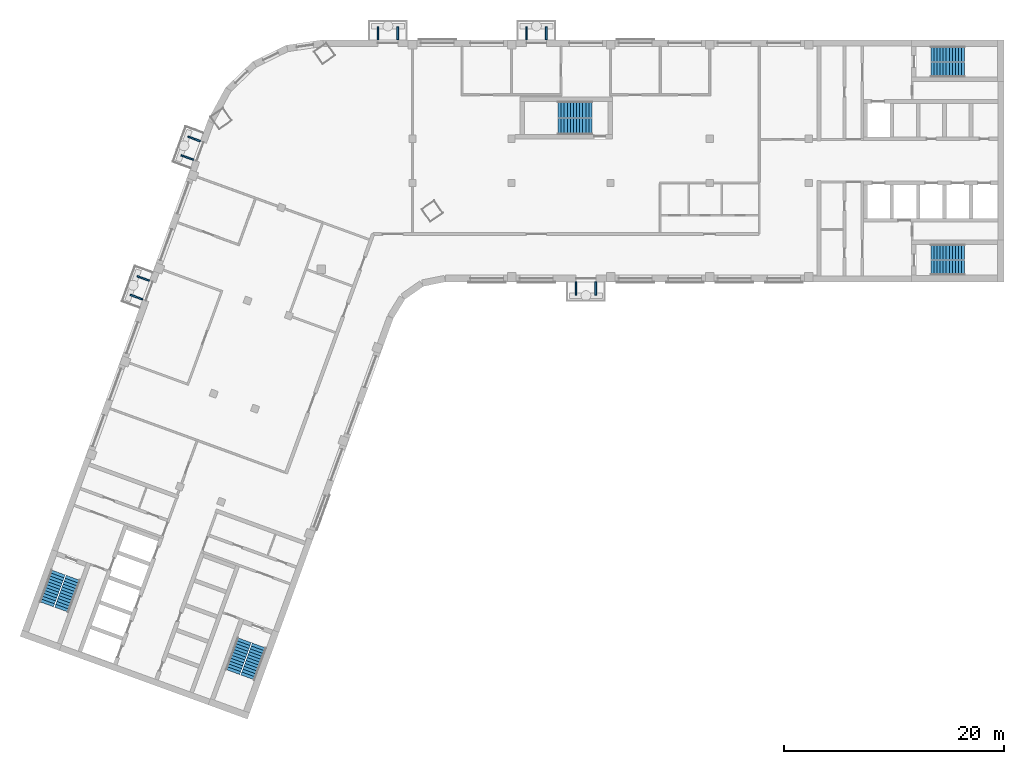
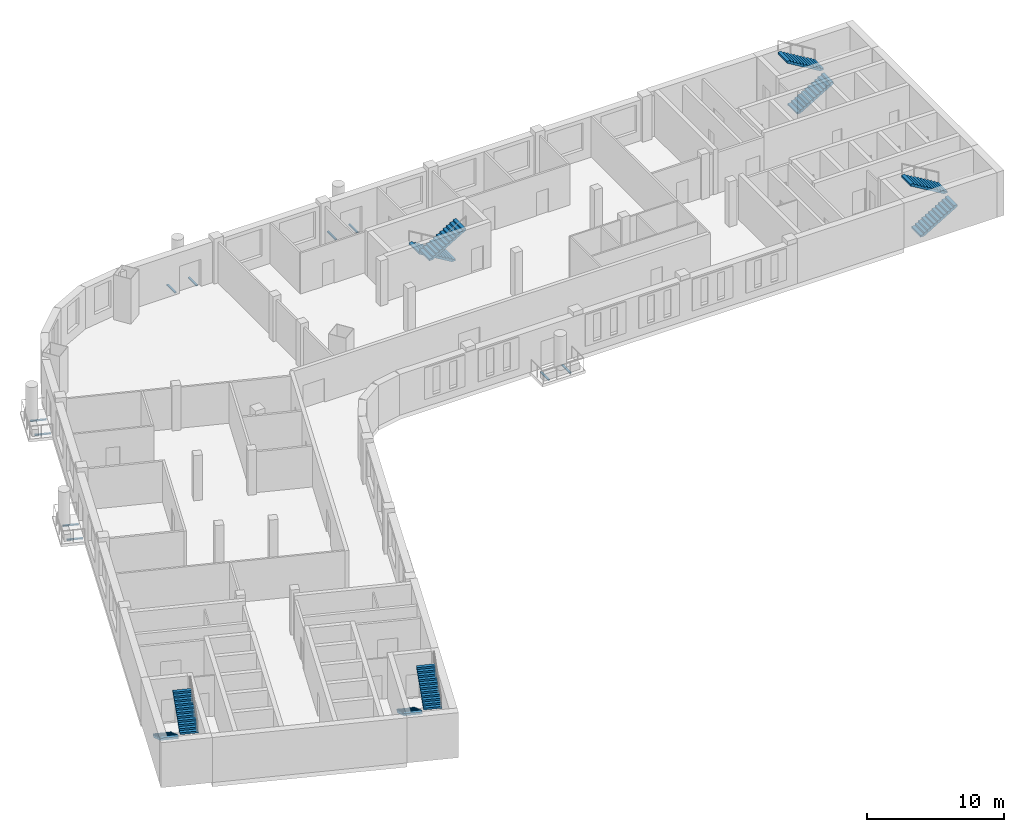
# One storey, part 7 of 10: 10 discrete accessories, 10 stair flights, 5 elements without a shape of their own.
"""IFC4 building model written with IfcOpenShell, lengths in metres."""

from ifc_helpers import new_model, si_unit, direction, frame, origin, origin_2d, place, context, subcontext, project, spatial, polyline, rectangle, outline, extrude, material, type_object, element, aggregate, save


model = new_model("IFC4")

# Units and contexts
model_context = context("Model", 3, precision=1e-05, world=origin(), true_north=direction((0.0, 1.0)))
body_context = subcontext(model_context, "Body", "Model", "MODEL_VIEW")
ifc_project = project(units=[si_unit("LENGTHUNIT", "METRE"), si_unit("AREAUNIT", "SQUARE_METRE"), si_unit("VOLUMEUNIT", "CUBIC_METRE"), si_unit("PLANEANGLEUNIT", "RADIAN"), si_unit("MASSUNIT", "GRAM", prefix="KILO")], contexts=[model_context])

# Site, building, storey
site_placement = place(None, origin())
site = spatial("IfcSite", under=ifc_project, at=site_placement, CompositionType="ELEMENT")
building_placement = place(site_placement, origin())
building = spatial("IfcBuilding", under=site, at=building_placement, Name="Skarvind Civic Tower", CompositionType="ELEMENT")
storey_placement = place(building_placement, frame((0.0, 0.0, 166.5)))
storey = spatial("IfcBuildingStorey", under=building, at=storey_placement, Name="L39", CompositionType="ELEMENT", Elevation=166.5)

# Stair, stair flights
ifc_material = material(Name="Concrete C40/50", Category="concrete")
stair_type_1 = type_object("IfcStairType", Name="Exit stair 1450, half-turn, concrete", PredefinedType="HALF_TURN_STAIR", material=ifc_material)
stair_1_placement = place(storey_placement, origin())
stair_1 = element("IfcStair", 1, at=stair_1_placement, inside=storey, type_object=stair_type_1, Name="Exit stair CM", PredefinedType="HALF_TURN_STAIR")
stair_flight_type_1 = type_object("IfcStairFlightType", Name="Stair flight 1450, concrete", PredefinedType="STRAIGHT", material=ifc_material)
stair_flight_1_placement = place(storey_placement, frame((70.550048828125, 132.675048828125, 0.0), z_axis=(0.0, 0.0, 1.0), x_axis=(-1.0, 0.0, 0.0)))
stair_flight_1 = element("IfcStairFlight", 2, at=stair_flight_1_placement, type_object=stair_flight_type_1, Name="ST-CM flight 1", NumberOfRisers=12, NumberOfTreads=11, PredefinedType="STRAIGHT", RiserHeight=0.166666667, TreadLength=0.28, context=body_context, shape_type="SweptSolid", body=[
    extrude(outline(polyline([(0.0, 0.0), (0.0, 0.166748046875), (0.280029296875, 0.166748046875), (0.280029296875, 0.333251953125), (0.56005859375, 0.333251953125), (0.56005859375, 0.5), (0.840087890625, 0.5), (0.840087890625, 0.666748046875), (1.1201171875, 0.666748046875), (1.1201171875, 0.833251953125), (1.39990234375, 0.833251953125), (1.39990234375, 1.0), (1.679931640625, 1.0), (1.679931640625, 1.166748046875), (1.9599609375, 1.166748046875), (1.9599609375, 1.333251953125), (2.239990234375, 1.333251953125), (2.239990234375, 1.5), (2.52001953125, 1.5), (2.52001953125, 1.666748046875), (2.800048828125, 1.666748046875), (2.800048828125, 1.833251953125), (3.080078125, 1.833251953125), (3.080078125, 2.0), (3.080078125, 1.658935546875), (0.29296875, 0.0), (0.0, 0.0)])), frame((0.0, 0.72509765625, 0.0), z_axis=(0.0, -1.0, 0.0), x_axis=(1.0, 0.0, 0.0)), (0.0, 0.0, 1.0), 1.449951171875),
])
stair_flight_2_placement = place(storey_placement, frame((67.469970703125, 131.125, 2.0), z_axis=(0.0, 0.0, 1.0), x_axis=(1.0, 0.0, 0.0)))
stair_flight_2 = element("IfcStairFlight", 3, at=stair_flight_2_placement, type_object=stair_flight_type_1, Name="ST-CM flight 2", NumberOfRisers=12, NumberOfTreads=11, PredefinedType="STRAIGHT", RiserHeight=0.166666667, TreadLength=0.28, context=body_context, shape_type="SweptSolid", body=[
    extrude(outline(polyline([(0.0, 0.0), (0.0, 0.166748046875), (0.280029296875, 0.166748046875), (0.280029296875, 0.333251953125), (0.56005859375, 0.333251953125), (0.56005859375, 0.5), (0.840087890625, 0.5), (0.840087890625, 0.666748046875), (1.1201171875, 0.666748046875), (1.1201171875, 0.833251953125), (1.39990234375, 0.833251953125), (1.39990234375, 1.0), (1.679931640625, 1.0), (1.679931640625, 1.166748046875), (1.9599609375, 1.166748046875), (1.9599609375, 1.333251953125), (2.239990234375, 1.333251953125), (2.239990234375, 1.5), (2.52001953125, 1.5), (2.52001953125, 1.666748046875), (2.800048828125, 1.666748046875), (2.800048828125, 1.833251953125), (3.080078125, 1.833251953125), (3.080078125, 2.0), (3.080078125, 1.658935546875), (0.29296875, 0.0), (0.0, 0.0)])), frame((0.0, 0.72509765625, 0.0), z_axis=(0.0, -1.0, 0.0), x_axis=(1.0, 0.0, 0.0)), (0.0, 0.0, 1.0), 1.449951171875),
])
aggregate(stair_1, [stair_flight_1, stair_flight_2])

stair_type_2 = type_object("IfcStairType", Name="Exit stair, half-turn, concrete", PredefinedType="HALF_TURN_STAIR", material=ifc_material)
stair_2_placement = place(storey_placement, origin())
stair_2 = element("IfcStair", 4, at=stair_2_placement, inside=storey, type_object=stair_type_2, Name="Exit stair C1S", PredefinedType="HALF_TURN_STAIR")
stair_flight_type_2 = type_object("IfcStairFlightType", Name="Stair flight, concrete", PredefinedType="STRAIGHT", material=ifc_material)
stair_flight_3_placement = place(storey_placement, frame((101.35009765625, 136.27490234375, 0.0), z_axis=(0.0, 0.0, 1.0), x_axis=(1.0, 0.0, 0.0)))
stair_flight_3 = element("IfcStairFlight", 5, at=stair_flight_3_placement, type_object=stair_flight_type_2, Name="ST-C1S flight 1", NumberOfRisers=12, NumberOfTreads=11, PredefinedType="STRAIGHT", RiserHeight=0.166666667, TreadLength=0.28, context=body_context, shape_type="SweptSolid", body=[
    extrude(outline(polyline([(0.0, 0.0), (0.0, 0.166748046875), (0.280029296875, 0.166748046875), (0.280029296875, 0.333251953125), (0.56005859375, 0.333251953125), (0.56005859375, 0.5), (0.840087890625, 0.5), (0.840087890625, 0.666748046875), (1.1201171875, 0.666748046875), (1.1201171875, 0.833251953125), (1.39990234375, 0.833251953125), (1.39990234375, 1.0), (1.679931640625, 1.0), (1.679931640625, 1.166748046875), (1.9599609375, 1.166748046875), (1.9599609375, 1.333251953125), (2.239990234375, 1.333251953125), (2.239990234375, 1.5), (2.52001953125, 1.5), (2.52001953125, 1.666748046875), (2.800048828125, 1.666748046875), (2.800048828125, 1.833251953125), (3.080078125, 1.833251953125), (3.080078125, 2.0), (3.080078125, 1.658935546875), (0.29296875, 0.0), (0.0, 0.0)])), frame((0.0, 0.675048828125, 0.0), z_axis=(0.0, -1.0, 0.0), x_axis=(1.0, 0.0, 0.0)), (0.0, 0.0, 1.0), 1.35009765625),
])
stair_flight_4_placement = place(storey_placement, frame((104.429931640625, 137.72509765625, 2.0), z_axis=(0.0, 0.0, 1.0), x_axis=(-1.0, 0.0, 0.0)))
stair_flight_4 = element("IfcStairFlight", 6, at=stair_flight_4_placement, type_object=stair_flight_type_2, Name="ST-C1S flight 2", NumberOfRisers=12, NumberOfTreads=11, PredefinedType="STRAIGHT", RiserHeight=0.166666667, TreadLength=0.28, context=body_context, shape_type="SweptSolid", body=[
    extrude(outline(polyline([(0.0, 0.0), (0.0, 0.166748046875), (0.280029296875, 0.166748046875), (0.280029296875, 0.333251953125), (0.56005859375, 0.333251953125), (0.56005859375, 0.5), (0.840087890625, 0.5), (0.840087890625, 0.666748046875), (1.1201171875, 0.666748046875), (1.1201171875, 0.833251953125), (1.39990234375, 0.833251953125), (1.39990234375, 1.0), (1.679931640625, 1.0), (1.679931640625, 1.166748046875), (1.9599609375, 1.166748046875), (1.9599609375, 1.333251953125), (2.239990234375, 1.333251953125), (2.239990234375, 1.5), (2.52001953125, 1.5), (2.52001953125, 1.666748046875), (2.800048828125, 1.666748046875), (2.800048828125, 1.833251953125), (3.080078125, 1.833251953125), (3.080078125, 2.0), (3.080078125, 1.658935546875), (0.29296875, 0.0), (0.0, 0.0)])), frame((0.0, 0.675048828125, 0.0), z_axis=(0.0, -1.0, 0.0), x_axis=(1.0, 0.0, 0.0)), (0.0, 0.0, 1.0), 1.35009765625),
])
aggregate(stair_2, [stair_flight_3, stair_flight_4])

stair_3_placement = place(storey_placement, origin())
stair_3 = element("IfcStair", 7, at=stair_3_placement, inside=storey, type_object=stair_type_2, Name="Exit stair C1N", PredefinedType="HALF_TURN_STAIR")
stair_flight_5_placement = place(storey_placement, frame((101.35009765625, 118.27490234375, 0.0), z_axis=(0.0, 0.0, 1.0), x_axis=(1.0, 0.0, 0.0)))
stair_flight_5 = element("IfcStairFlight", 8, at=stair_flight_5_placement, type_object=stair_flight_type_2, Name="ST-C1N flight 1", NumberOfRisers=12, NumberOfTreads=11, PredefinedType="STRAIGHT", RiserHeight=0.166666667, TreadLength=0.28, context=body_context, shape_type="SweptSolid", body=[
    extrude(outline(polyline([(0.0, 0.0), (0.0, 0.166748046875), (0.280029296875, 0.166748046875), (0.280029296875, 0.333251953125), (0.56005859375, 0.333251953125), (0.56005859375, 0.5), (0.840087890625, 0.5), (0.840087890625, 0.666748046875), (1.1201171875, 0.666748046875), (1.1201171875, 0.833251953125), (1.39990234375, 0.833251953125), (1.39990234375, 1.0), (1.679931640625, 1.0), (1.679931640625, 1.166748046875), (1.9599609375, 1.166748046875), (1.9599609375, 1.333251953125), (2.239990234375, 1.333251953125), (2.239990234375, 1.5), (2.52001953125, 1.5), (2.52001953125, 1.666748046875), (2.800048828125, 1.666748046875), (2.800048828125, 1.833251953125), (3.080078125, 1.833251953125), (3.080078125, 2.0), (3.080078125, 1.658935546875), (0.29296875, 0.0), (0.0, 0.0)])), frame((0.0, 0.675048828125, 0.0), z_axis=(0.0, -1.0, 0.0), x_axis=(1.0, 0.0, 0.0)), (0.0, 0.0, 1.0), 1.35009765625),
])
stair_flight_6_placement = place(storey_placement, frame((104.429931640625, 119.72509765625, 2.0), z_axis=(0.0, 0.0, 1.0), x_axis=(-1.0, 0.0, 0.0)))
stair_flight_6 = element("IfcStairFlight", 9, at=stair_flight_6_placement, type_object=stair_flight_type_2, Name="ST-C1N flight 2", NumberOfRisers=12, NumberOfTreads=11, PredefinedType="STRAIGHT", RiserHeight=0.166666667, TreadLength=0.28, context=body_context, shape_type="SweptSolid", body=[
    extrude(outline(polyline([(0.0, 0.0), (0.0, 0.166748046875), (0.280029296875, 0.166748046875), (0.280029296875, 0.333251953125), (0.56005859375, 0.333251953125), (0.56005859375, 0.5), (0.840087890625, 0.5), (0.840087890625, 0.666748046875), (1.1201171875, 0.666748046875), (1.1201171875, 0.833251953125), (1.39990234375, 0.833251953125), (1.39990234375, 1.0), (1.679931640625, 1.0), (1.679931640625, 1.166748046875), (1.9599609375, 1.166748046875), (1.9599609375, 1.333251953125), (2.239990234375, 1.333251953125), (2.239990234375, 1.5), (2.52001953125, 1.5), (2.52001953125, 1.666748046875), (2.800048828125, 1.666748046875), (2.800048828125, 1.833251953125), (3.080078125, 1.833251953125), (3.080078125, 2.0), (3.080078125, 1.658935546875), (0.29296875, 0.0), (0.0, 0.0)])), frame((0.0, 0.675048828125, 0.0), z_axis=(0.0, -1.0, 0.0), x_axis=(1.0, 0.0, 0.0)), (0.0, 0.0, 1.0), 1.35009765625),
])
aggregate(stair_3, [stair_flight_5, stair_flight_6])

stair_4_placement = place(storey_placement, origin())
stair_4 = element("IfcStair", 10, at=stair_4_placement, inside=storey, type_object=stair_type_2, Name="Exit stair C2S", PredefinedType="HALF_TURN_STAIR")
stair_flight_7_placement = place(storey_placement, frame((38.949462890625, 84.43408203125, 0.0), z_axis=(0.0, 0.0, 1.0), x_axis=(-0.342020143326, -0.939692620786, 0.0)))
stair_flight_7 = element("IfcStairFlight", 11, at=stair_flight_7_placement, type_object=stair_flight_type_2, Name="ST-C2S flight 1", NumberOfRisers=12, NumberOfTreads=11, PredefinedType="STRAIGHT", RiserHeight=0.166666667, TreadLength=0.28, context=body_context, shape_type="SweptSolid", body=[
    extrude(outline(polyline([(0.0, 0.0), (0.0, 0.166748046875), (0.280029296875, 0.166748046875), (0.280029296875, 0.333251953125), (0.56005859375, 0.333251953125), (0.56005859375, 0.5), (0.840087890625, 0.5), (0.840087890625, 0.666748046875), (1.1201171875, 0.666748046875), (1.1201171875, 0.833251953125), (1.39990234375, 0.833251953125), (1.39990234375, 1.0), (1.679931640625, 1.0), (1.679931640625, 1.166748046875), (1.9599609375, 1.166748046875), (1.9599609375, 1.333251953125), (2.239990234375, 1.333251953125), (2.239990234375, 1.5), (2.52001953125, 1.5), (2.52001953125, 1.666748046875), (2.800048828125, 1.666748046875), (2.800048828125, 1.833251953125), (3.080078125, 1.833251953125), (3.080078125, 2.0), (3.080078125, 1.658935546875), (0.29296875, 0.0), (0.0, 0.0)])), frame((0.0, 0.675048828125, 0.0), z_axis=(0.0, -1.0, 0.0), x_axis=(1.0, 0.0, 0.0)), (0.0, 0.0, 1.0), 1.35009765625),
])
stair_flight_8_placement = place(storey_placement, frame((39.258544921875, 81.0439453125, 2.0), z_axis=(0.0, 0.0, 1.0), x_axis=(0.342020143326, 0.939692620786, 0.0)))
stair_flight_8 = element("IfcStairFlight", 12, at=stair_flight_8_placement, type_object=stair_flight_type_2, Name="ST-C2S flight 2", NumberOfRisers=12, NumberOfTreads=11, PredefinedType="STRAIGHT", RiserHeight=0.166666667, TreadLength=0.28, context=body_context, shape_type="SweptSolid", body=[
    extrude(outline(polyline([(0.0, 0.0), (0.0, 0.166748046875), (0.280029296875, 0.166748046875), (0.280029296875, 0.333251953125), (0.56005859375, 0.333251953125), (0.56005859375, 0.5), (0.840087890625, 0.5), (0.840087890625, 0.666748046875), (1.1201171875, 0.666748046875), (1.1201171875, 0.833251953125), (1.39990234375, 0.833251953125), (1.39990234375, 1.0), (1.679931640625, 1.0), (1.679931640625, 1.166748046875), (1.9599609375, 1.166748046875), (1.9599609375, 1.333251953125), (2.239990234375, 1.333251953125), (2.239990234375, 1.5), (2.52001953125, 1.5), (2.52001953125, 1.666748046875), (2.800048828125, 1.666748046875), (2.800048828125, 1.833251953125), (3.080078125, 1.833251953125), (3.080078125, 2.0), (3.080078125, 1.658935546875), (0.29296875, 0.0), (0.0, 0.0)])), frame((0.0, 0.675048828125, 0.0), z_axis=(0.0, -1.0, 0.0), x_axis=(1.0, 0.0, 0.0)), (0.0, 0.0, 1.0), 1.35009765625),
])
aggregate(stair_4, [stair_flight_7, stair_flight_8])

stair_5_placement = place(storey_placement, origin())
stair_5 = element("IfcStair", 13, at=stair_5_placement, inside=storey, type_object=stair_type_2, Name="Exit stair C2N", PredefinedType="HALF_TURN_STAIR")
stair_flight_9_placement = place(storey_placement, frame((22.034912109375, 90.590576171875, 0.0), z_axis=(0.0, 0.0, 1.0), x_axis=(-0.342020143326, -0.939692620786, 0.0)))
stair_flight_9 = element("IfcStairFlight", 14, at=stair_flight_9_placement, type_object=stair_flight_type_2, Name="ST-C2N flight 1", NumberOfRisers=12, NumberOfTreads=11, PredefinedType="STRAIGHT", RiserHeight=0.166666667, TreadLength=0.28, context=body_context, shape_type="SweptSolid", body=[
    extrude(outline(polyline([(0.0, 0.0), (0.0, 0.166748046875), (0.280029296875, 0.166748046875), (0.280029296875, 0.333251953125), (0.56005859375, 0.333251953125), (0.56005859375, 0.5), (0.840087890625, 0.5), (0.840087890625, 0.666748046875), (1.1201171875, 0.666748046875), (1.1201171875, 0.833251953125), (1.39990234375, 0.833251953125), (1.39990234375, 1.0), (1.679931640625, 1.0), (1.679931640625, 1.166748046875), (1.9599609375, 1.166748046875), (1.9599609375, 1.333251953125), (2.239990234375, 1.333251953125), (2.239990234375, 1.5), (2.52001953125, 1.5), (2.52001953125, 1.666748046875), (2.800048828125, 1.666748046875), (2.800048828125, 1.833251953125), (3.080078125, 1.833251953125), (3.080078125, 2.0), (3.080078125, 1.658935546875), (0.29296875, 0.0), (0.0, 0.0)])), frame((0.0, 0.675048828125, 0.0), z_axis=(0.0, -1.0, 0.0), x_axis=(1.0, 0.0, 0.0)), (0.0, 0.0, 1.0), 1.35009765625),
])
stair_flight_10_placement = place(storey_placement, frame((22.343994140625, 87.2001953125, 2.0), z_axis=(0.0, 0.0, 1.0), x_axis=(0.342020143326, 0.939692620786, 0.0)))
stair_flight_10 = element("IfcStairFlight", 15, at=stair_flight_10_placement, type_object=stair_flight_type_2, Name="ST-C2N flight 2", NumberOfRisers=12, NumberOfTreads=11, PredefinedType="STRAIGHT", RiserHeight=0.166666667, TreadLength=0.28, context=body_context, shape_type="SweptSolid", body=[
    extrude(outline(polyline([(0.0, 0.0), (0.0, 0.166748046875), (0.280029296875, 0.166748046875), (0.280029296875, 0.333251953125), (0.56005859375, 0.333251953125), (0.56005859375, 0.5), (0.840087890625, 0.5), (0.840087890625, 0.666748046875), (1.1201171875, 0.666748046875), (1.1201171875, 0.833251953125), (1.39990234375, 0.833251953125), (1.39990234375, 1.0), (1.679931640625, 1.0), (1.679931640625, 1.166748046875), (1.9599609375, 1.166748046875), (1.9599609375, 1.333251953125), (2.239990234375, 1.333251953125), (2.239990234375, 1.5), (2.52001953125, 1.5), (2.52001953125, 1.666748046875), (2.800048828125, 1.666748046875), (2.800048828125, 1.833251953125), (3.080078125, 1.833251953125), (3.080078125, 2.0), (3.080078125, 1.658935546875), (0.29296875, 0.0), (0.0, 0.0)])), frame((0.0, 0.675048828125, 0.0), z_axis=(0.0, -1.0, 0.0), x_axis=(1.0, 0.0, 0.0)), (0.0, 0.0, 1.0), 1.35009765625),
])
aggregate(stair_5, [stair_flight_9, stair_flight_10])

# Discrete accessories
for number, where, z_axis, x_axis, name in (
    (16, (70.89990234375, 116.39990234375, -0.35009765625), (0.0, 0.0, 1.0), (-1.0, 0.0, 0.0), "TREE BALCONY BRACKET"),
    (17, (69.10009765625, 116.39990234375, -0.35009765625), (0.0, 0.0, 1.0), (-1.0, 0.0, 0.0), "TREE BALCONY BRACKET"),
    (18, (51.10009765625, 139.60009765625, -0.35009765625), (0.0, 0.0, 1.0), (1.0, 0.0, 0.0), "TREE BALCONY BRACKET"),
    (19, (52.89990234375, 139.60009765625, -0.35009765625), (0.0, 0.0, 1.0), (1.0, 0.0, 0.0), "TREE BALCONY BRACKET"),
    (20, (64.60009765625, 139.60009765625, -0.35009765625), (0.0, 0.0, 1.0), (1.0, 0.0, 0.0), "TREE BALCONY BRACKET"),
    (21, (66.39990234375, 139.60009765625, -0.35009765625), (0.0, 0.0, 1.0), (1.0, 0.0, 0.0), "TREE BALCONY BRACKET"),
    (22, (29.1484375, 115.61669921875, -0.35009765625), (0.0, 0.0, 1.0), (0.342020143326, 0.939692620786, 0.0), "TREE BALCONY BRACKET"),
    (23, (29.76416015625, 117.308349609375, -0.35009765625), (0.0, 0.0, 1.0), (0.342020143326, 0.939692620786, 0.0), "TREE BALCONY BRACKET"),
    (24, (33.765625, 128.302734375, -0.35009765625), (0.0, 0.0, 1.0), (0.342020143326, 0.939692620786, 0.0), "TREE BALCONY BRACKET"),
    (25, (34.38134765625, 129.994140625, -0.35009765625), (0.0, 0.0, 1.0), (0.342020143326, 0.939692620786, 0.0), "TREE BALCONY BRACKET"),
):
    element("IfcDiscreteAccessory", number, at=place(storey_placement, frame(where, z_axis=z_axis, x_axis=x_axis)), inside=storey, Name=name, PredefinedType="BRACKET", context=body_context, shape_type="SweptSolid", body=[
        extrude(rectangle(XDim=0.14990234375, YDim=1.199951171875, at=origin_2d()), origin(), (0.0, 0.0, 1.0), 0.10009765625),
    ])

save(model, "model.ifc")
